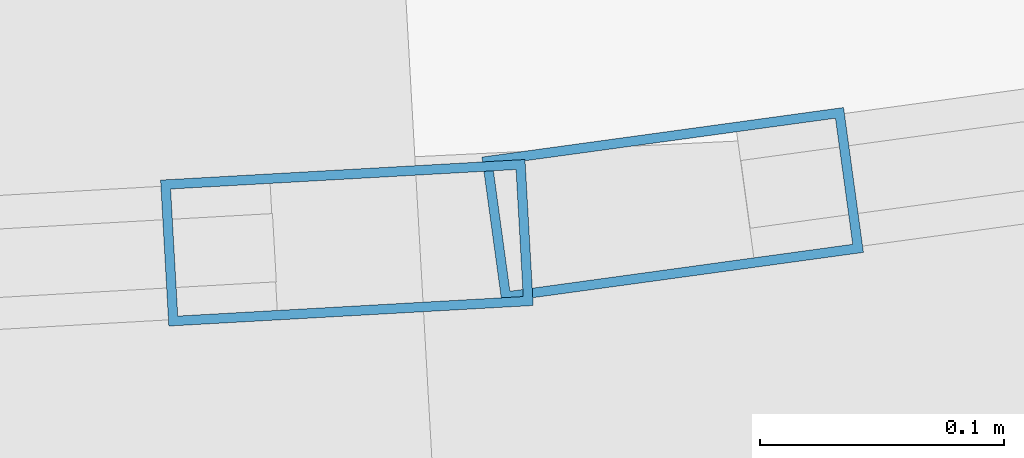
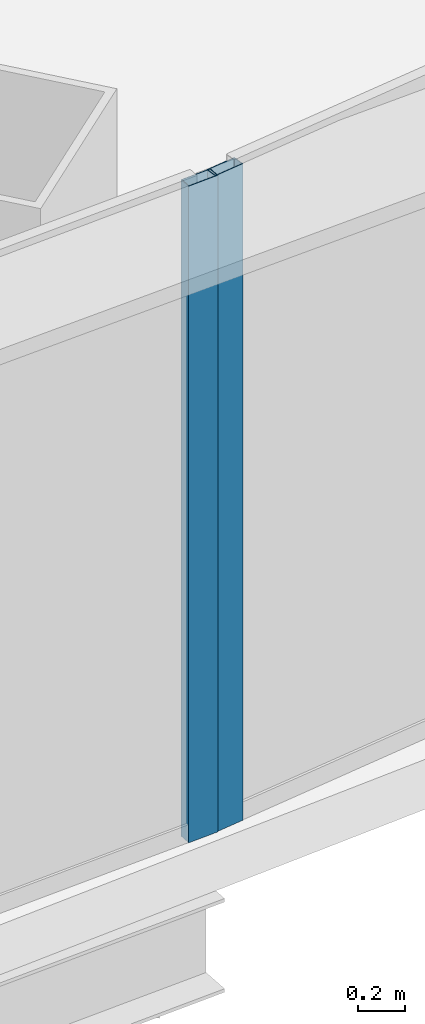
# One storey, part 14 of 39: 2 members, 2 elements without a shape of their own.
"""IFC4 building model written with IfcOpenShell, lengths in metres."""

from ifc_helpers import new_model, si_unit, direction, frame, origin, origin_2d, place, context, subcontext, project, spatial, hollow_rectangle, extrude, source, transform, mapped, material, layer, layer_set, material_profile, profile_set, type_object, element, aggregate, save


model = new_model("IFC4")

# Units and contexts
model_context = context("Model", 3, precision=1e-05, world=origin(), true_north=direction((0.0, 1.0)))
body_context = subcontext(model_context, "Body", "Model", "MODEL_VIEW")
ifc_project = project(units=[si_unit("LENGTHUNIT", "METRE"), si_unit("AREAUNIT", "SQUARE_METRE"), si_unit("VOLUMEUNIT", "CUBIC_METRE"), si_unit("PLANEANGLEUNIT", "RADIAN"), si_unit("MASSUNIT", "GRAM", prefix="KILO"), si_unit("THERMODYNAMICTEMPERATUREUNIT", "KELVIN"), si_unit("POWERUNIT", "WATT")], contexts=[model_context])

# Site, building, storey
site_placement = place(None, origin())
site = spatial("IfcSite", under=ifc_project, at=site_placement, CompositionType="ELEMENT")
building_placement = place(site_placement, origin())
building = spatial("IfcBuilding", under=site, at=building_placement, Name="Yunzhuo Pagoda Commons", CompositionType="ELEMENT")
storey_placement = place(building_placement, frame((0.0, 0.0, 166.6298828125)))
storey = spatial("IfcBuildingStorey", under=building, at=storey_placement, Name="L42", CompositionType="ELEMENT", Elevation=166.6298828125)

# Curtain wall, member
ifc_material = material(Name="Anodized aluminium 6063-T6", Category="aluminium")
ifc_layer = layer(ifc_material, 0.14990234375)
ifc_layer_set = layer_set([ifc_layer], Name="Anodized aluminium 6063-T6")
curtain_wall_type = type_object("IfcCurtainWallType", Name="CW-MID Mid-Zone Ribbon Curtain Wall", PredefinedType="NOTDEFINED", material=ifc_layer_set)
curtain_wall_1_placement = place(storey_placement, origin())
curtain_wall_1 = element("IfcCurtainWall", 1, at=curtain_wall_1_placement, inside=storey, type_object=curtain_wall_type, Name="L42 curtain wall CW-L42-F1B4", PredefinedType="NOTDEFINED")
ifc_material_profile = material_profile(ifc_material, hollow_rectangle(XDim=0.06005859375, YDim=0.14990234375, WallThickness=0.00390625, at=origin_2d()), Name="Anodized aluminium 6063-T6")
ifc_profile_set = profile_set([ifc_material_profile], Name="Anodized aluminium 6063-T6")
member_type = type_object("IfcMemberType", Name="CW-MID-M Mullion RHS 150x60x4", PredefinedType="MULLION", material=ifc_profile_set)
shared_shape = source(origin(), body_context, "Body", "SweptSolid", [
    extrude(hollow_rectangle(XDim=0.06005859375, YDim=0.14990234375, WallThickness=0.00390625, at=origin_2d()), origin(), (0.0, 0.0, 1.0), 3.420166015625),
])
member_1_placement = place(storey_placement, frame((64.230224609375, 14.320556640625, 0.0), z_axis=(0.0, 0.0, 1.0), x_axis=(-0.056298716731, 0.998413969501, 0.0)))
member_1 = element("IfcMember", 2, at=member_1_placement, type_object=member_type, Name="CW mullion 2", PredefinedType="MULLION", context=body_context, shape_type="MappedRepresentation", body=[
    mapped(shared_shape, transform((0.0, 0.0, 0.0), scale=1.0)),
])
aggregate(curtain_wall_1, [member_1])

curtain_wall_2_placement = place(storey_placement, origin())
curtain_wall_2 = element("IfcCurtainWall", 3, at=curtain_wall_2_placement, inside=storey, type_object=curtain_wall_type, Name="L42 curtain wall CW-L42-F1B5", PredefinedType="NOTDEFINED")
member_2_placement = place(storey_placement, frame((64.364013671875, 14.336181640625, 0.0), z_axis=(0.0, 0.0, 1.0), x_axis=(-0.135767265879, 0.990740757976, 0.0)))
member_2 = element("IfcMember", 4, at=member_2_placement, type_object=member_type, Name="CW mullion 1", PredefinedType="MULLION", context=body_context, shape_type="MappedRepresentation", body=[
    mapped(shared_shape, transform((0.0, 0.0, 0.0), scale=1.0)),
])
aggregate(curtain_wall_2, [member_2])

save(model, "model.ifc")
